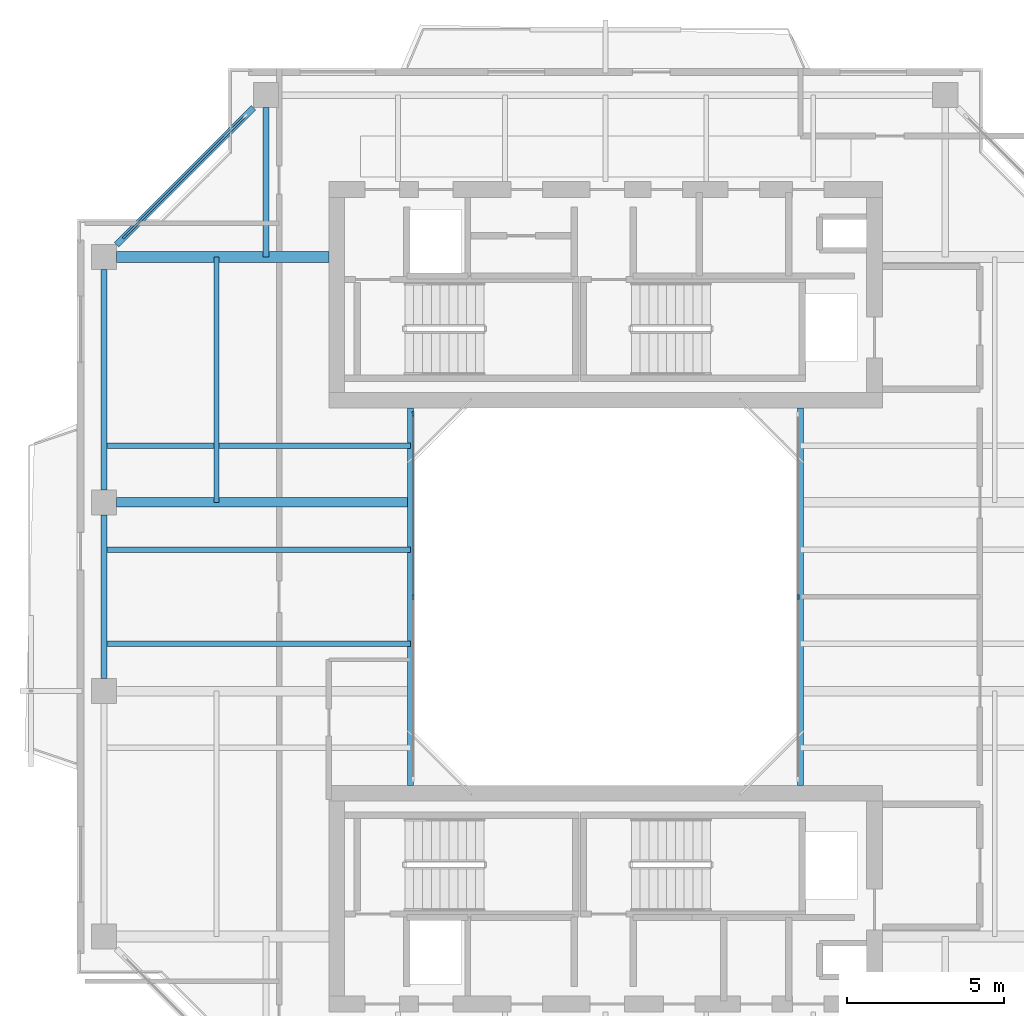
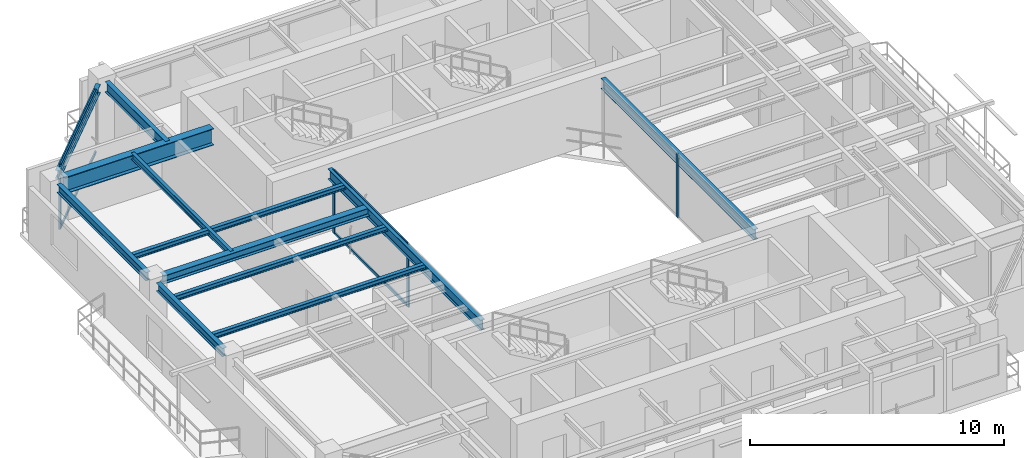
# One storey, part 5 of 16: 12 beams, 8 members, 3 elements without a shape of their own.
"""IFC4 building model written with IfcOpenShell, lengths in metres."""

from ifc_helpers import new_model, si_unit, direction, frame, origin, origin_2d, place, context, subcontext, project, spatial, rectangle, i_section, extrude, source, transform, mapped, material, layer, layer_set, material_profile, profile_set, type_object, element, aggregate, save


model = new_model("IFC4")

# Units and contexts
model_context = context("Model", 3, precision=1e-05, world=origin(), true_north=direction((0.0, 1.0)))
body_context = subcontext(model_context, "Body", "Model", "MODEL_VIEW")
ifc_project = project(units=[si_unit("LENGTHUNIT", "METRE"), si_unit("AREAUNIT", "SQUARE_METRE"), si_unit("VOLUMEUNIT", "CUBIC_METRE"), si_unit("PLANEANGLEUNIT", "RADIAN"), si_unit("MASSUNIT", "GRAM", prefix="KILO"), si_unit("THERMODYNAMICTEMPERATUREUNIT", "KELVIN"), si_unit("POWERUNIT", "WATT")], contexts=[model_context])

# Site, building, storey
site_placement = place(None, origin())
site = spatial("IfcSite", under=ifc_project, at=site_placement, CompositionType="ELEMENT")
building_placement = place(site_placement, origin())
building = spatial("IfcBuilding", under=site, at=building_placement, Name="Qiaomeng Ring Towers", CompositionType="ELEMENT")
storey_placement = place(building_placement, frame((0.0, 0.0, 229.5)))
storey = spatial("IfcBuildingStorey", under=building, at=storey_placement, Name="L67", CompositionType="ELEMENT", Elevation=229.5)

# Beams
ifc_material_1 = material(Name="Steel Q355B", Category="steel")
ifc_material_profile_1 = material_profile(ifc_material_1, i_section(OverallWidth=0.199951171875, OverallDepth=0.5, WebThickness=0.010009765625, FlangeThickness=0.01611328125, FilletRadius=0.02001953125, at=origin_2d()), Name="HN 500x200x10x16")
ifc_profile_set_1 = profile_set([ifc_material_profile_1], Name="Steel Q355B")
beam_type_1 = type_object("IfcBeamType", Name="STR-BM-HN500", PredefinedType="BEAM", material=ifc_profile_set_1)
shared_shape_1 = source(origin(), body_context, "Body", "SweptSolid", [
    extrude(i_section(OverallWidth=0.199951171875, OverallDepth=0.5, WebThickness=0.010009765625, FlangeThickness=0.01611328125, FilletRadius=0.02001953125, at=origin_2d()), origin(), (0.0, 0.0, 1.0), 12.0),
])
for number, where, z_axis, x_axis, name in (
    (1, (12.800048828125, 17.0, 2.780029296875), (0.0, 1.0, 0.0), (-1.0, 0.0, 0.0), "L67 beam STR-BM-L67-WELL-W"),
    (2, (25.199951171875, 17.0, 2.780029296875), (0.0, 1.0, 0.0), (-1.0, 0.0, 0.0), "L67 beam STR-BM-L67-WELL-E"),
):
    element("IfcBeam", number, at=place(storey_placement, frame(where, z_axis=z_axis, x_axis=x_axis)), inside=storey, type_object=beam_type_1, Name=name, PredefinedType="BEAM", context=body_context, shape_type="MappedRepresentation", body=[
        mapped(shared_shape_1, transform((0.0, 0.0, 0.0), x_axis=(1.0, 0.0, 0.0), y_axis=(0.0, 1.0, 0.0), z_axis=(0.0, 0.0, 1.0), scale=1.0)),
    ])
ifc_material_profile_2 = material_profile(ifc_material_1, i_section(OverallWidth=0.198974609375, OverallDepth=0.39599609375, WebThickness=0.007080078125, FlangeThickness=0.010986328125, FilletRadius=0.01611328125, at=origin_2d()), Name="HN 396x199x7x11")
ifc_profile_set_2 = profile_set([ifc_material_profile_2], Name="Steel Q355B")
beam_type_2 = type_object("IfcBeamType", Name="STR-BM-HN396", PredefinedType="SPANDREL", material=ifc_profile_set_2)
shared_shape_2 = source(origin(), body_context, "Body", "SweptSolid", [
    extrude(i_section(OverallWidth=0.198974609375, OverallDepth=0.39599609375, WebThickness=0.007080078125, FlangeThickness=0.010986328125, FilletRadius=0.01611328125, at=origin_2d()), origin(), (0.0, 0.0, 1.0), 6.154052734375),
])
beam_1_placement = place(storey_placement, frame((7.80078125, 38.55078125, 2.83203125), z_axis=(-0.707106781187, -0.707106781187, 0.0), x_axis=(0.707106781187, -0.707106781187, 0.0)))
element("IfcBeam", 3, at=beam_1_placement, inside=storey, type_object=beam_type_2, Name="L67 beam STR-SP-L67-T1-N1-W4", PredefinedType="SPANDREL", context=body_context, shape_type="MappedRepresentation", body=[
    mapped(shared_shape_2, transform((0.0, 0.0, 0.0), x_axis=(1.0, 0.0, 0.0), y_axis=(0.0, 1.0, 0.0), z_axis=(0.0, 0.0, 1.0), scale=1.0)),
])
shared_shape_3 = source(origin(), body_context, "Body", "SweptSolid", [
    extrude(i_section(OverallWidth=0.198974609375, OverallDepth=0.39599609375, WebThickness=0.007080078125, FlangeThickness=0.010986328125, FilletRadius=0.01611328125, at=origin_2d()), origin(), (0.0, 0.0, 1.0), 7.001953125),
])
beam_2_placement = place(storey_placement, frame((3.050048828125, 33.40087890625, 2.83203125), z_axis=(0.0, -1.0, 0.0), x_axis=(1.0, 0.0, 0.0)))
element("IfcBeam", 4, at=beam_2_placement, inside=storey, type_object=beam_type_2, Name="L67 beam STR-SP-L67-T1-W4-W3", PredefinedType="SPANDREL", context=body_context, shape_type="MappedRepresentation", body=[
    mapped(shared_shape_3, transform((0.0, 0.0, 0.0), x_axis=(1.0, 0.0, 0.0), y_axis=(0.0, 1.0, 0.0), z_axis=(0.0, 0.0, 1.0), scale=1.0)),
])
shared_shape_4 = source(origin(), body_context, "Body", "SweptSolid", [
    extrude(i_section(OverallWidth=0.198974609375, OverallDepth=0.39599609375, WebThickness=0.007080078125, FlangeThickness=0.010986328125, FilletRadius=0.01611328125, at=origin_2d()), origin(), (0.0, 0.0, 1.0), 5.2021484375),
])
beam_3_placement = place(storey_placement, frame((3.050048828125, 25.60107421875, 2.83203125), z_axis=(0.0, -1.0, 0.0), x_axis=(1.0, 0.0, 0.0)))
element("IfcBeam", 5, at=beam_3_placement, inside=storey, type_object=beam_type_2, Name="L67 beam STR-SP-L67-T1-W3-W2", PredefinedType="SPANDREL", context=body_context, shape_type="MappedRepresentation", body=[
    mapped(shared_shape_4, transform((0.0, 0.0, 0.0), x_axis=(1.0, 0.0, 0.0), y_axis=(0.0, 1.0, 0.0), z_axis=(0.0, 0.0, 1.0), scale=1.0)),
])
ifc_material_2 = material(Name="Steel Q390GJC", Category="steel")
ifc_material_profile_3 = material_profile(ifc_material_2, i_section(OverallWidth=0.35009765625, OverallDepth=0.800048828125, WebThickness=0.01611328125, FlangeThickness=0.028076171875, at=origin_2d()), Name="WH 800x350x16x28")
ifc_profile_set_3 = profile_set([ifc_material_profile_3], Name="Steel Q390GJC")
beam_type_3 = type_object("IfcBeamType", Name="STR-BM-WH800", PredefinedType="BEAM", material=ifc_profile_set_3)
shared_shape_5 = source(origin(), body_context, "Body", "SweptSolid", [
    extrude(i_section(OverallWidth=0.35009765625, OverallDepth=0.800048828125, WebThickness=0.01611328125, FlangeThickness=0.028076171875, at=origin_2d()), origin(), (0.0, 0.0, 1.0), 6.7509765625),
])
beam_4_placement = place(storey_placement, frame((3.448974609375, 33.800048828125, 2.6298828125), z_axis=(1.0, 0.0, 0.0), x_axis=(0.0, 1.0, 0.0)))
element("IfcBeam", 6, at=beam_4_placement, inside=storey, type_object=beam_type_3, Name="L67 beam STR-BM-L67-T1-RAD-W4", PredefinedType="BEAM", context=body_context, shape_type="MappedRepresentation", body=[
    mapped(shared_shape_5, transform((0.0, 0.0, 0.0), x_axis=(1.0, 0.0, 0.0), y_axis=(0.0, 1.0, 0.0), z_axis=(0.0, 0.0, 1.0), scale=1.0)),
])
ifc_material_profile_4 = material_profile(ifc_material_1, i_section(OverallWidth=0.300048828125, OverallDepth=0.389892578125, WebThickness=0.010009765625, FlangeThickness=0.01611328125, FilletRadius=0.02197265625, at=origin_2d()), Name="HM 390x300x10x16")
ifc_profile_set_4 = profile_set([ifc_material_profile_4], Name="Steel Q355B")
beam_type_4 = type_object("IfcBeamType", Name="STR-BM-HM390", PredefinedType="BEAM", material=ifc_profile_set_4)
shared_shape_6 = source(origin(), body_context, "Body", "SweptSolid", [
    extrude(i_section(OverallWidth=0.300048828125, OverallDepth=0.389892578125, WebThickness=0.010009765625, FlangeThickness=0.01611328125, FilletRadius=0.02197265625, at=origin_2d()), origin(), (0.0, 0.0, 1.0), 9.35107421875),
])
beam_5_placement = place(storey_placement, frame((3.448974609375, 26.0, 2.8349609375), z_axis=(1.0, 0.0, 0.0), x_axis=(0.0, 1.0, 0.0)))
element("IfcBeam", 7, at=beam_5_placement, inside=storey, type_object=beam_type_4, Name="L67 beam STR-BM-L67-T1-RAD-W3", PredefinedType="BEAM", context=body_context, shape_type="MappedRepresentation", body=[
    mapped(shared_shape_6, transform((0.0, 0.0, 0.0), x_axis=(1.0, 0.0, 0.0), y_axis=(0.0, 1.0, 0.0), z_axis=(0.0, 0.0, 1.0), scale=1.0)),
])
ifc_material_profile_5 = material_profile(ifc_material_1, i_section(OverallWidth=0.175048828125, OverallDepth=0.243896484375, WebThickness=0.007080078125, FlangeThickness=0.010986328125, FilletRadius=0.01611328125, at=origin_2d()), Name="HM 244x175x7x11")
ifc_profile_set_5 = profile_set([ifc_material_profile_5], Name="Steel Q355B")
beam_type_5 = type_object("IfcBeamType", Name="STR-BM-HM244", PredefinedType="JOIST", material=ifc_profile_set_5)
shared_shape_7 = source(origin(), body_context, "Body", "SweptSolid", [
    extrude(i_section(OverallWidth=0.175048828125, OverallDepth=0.243896484375, WebThickness=0.007080078125, FlangeThickness=0.010986328125, FilletRadius=0.01611328125, at=origin_2d()), origin(), (0.0, 0.0, 1.0), 9.75),
])
for number, where, z_axis, x_axis, name in (
    (8, (3.050048828125, 21.5, 2.907958984375), (1.0, 0.0, 0.0), (0.0, 1.0, 0.0), "L67 beam STR-JST-L67-T1W-2"),
    (9, (3.050048828125, 24.5, 2.907958984375), (1.0, 0.0, 0.0), (0.0, 1.0, 0.0), "L67 beam STR-JST-L67-T1W-3"),
    (10, (3.050048828125, 27.800048828125, 2.907958984375), (1.0, 0.0, 0.0), (0.0, 1.0, 0.0), "L67 beam STR-JST-L67-T1W-4"),
):
    element("IfcBeam", number, at=place(storey_placement, frame(where, z_axis=z_axis, x_axis=x_axis)), inside=storey, type_object=beam_type_5, Name=name, PredefinedType="JOIST", context=body_context, shape_type="MappedRepresentation", body=[
        mapped(shared_shape_7, transform((0.0, 0.0, 0.0), x_axis=(1.0, 0.0, 0.0), y_axis=(0.0, 1.0, 0.0), z_axis=(0.0, 0.0, 1.0), scale=1.0)),
    ])
ifc_material_profile_6 = material_profile(ifc_material_1, i_section(OverallWidth=0.14990234375, OverallDepth=0.300048828125, WebThickness=0.006591796875, FlangeThickness=0.009033203125, FilletRadius=0.012939453125, at=origin_2d()), Name="HN 300x150x6.5x9")
ifc_profile_set_6 = profile_set([ifc_material_profile_6], Name="Steel Q355B")
beam_type_6 = type_object("IfcBeamType", Name="STR-BM-HN300", PredefinedType="JOIST", material=ifc_profile_set_6)
shared_shape_8 = source(origin(), body_context, "Body", "SweptSolid", [
    extrude(i_section(OverallWidth=0.14990234375, OverallDepth=0.300048828125, WebThickness=0.006591796875, FlangeThickness=0.009033203125, FilletRadius=0.012939453125, at=origin_2d()), origin(), (0.0, 0.0, 1.0), 7.800048828125),
])
beam_6_placement = place(storey_placement, frame((6.625, 26.0, 2.8798828125), z_axis=(0.0, 1.0, 0.0), x_axis=(-1.0, 0.0, 0.0)))
element("IfcBeam", 11, at=beam_6_placement, inside=storey, type_object=beam_type_6, Name="L67 beam STR-JST-L67-T1C-WN", PredefinedType="JOIST", context=body_context, shape_type="MappedRepresentation", body=[
    mapped(shared_shape_8, transform((0.0, 0.0, 0.0), x_axis=(1.0, 0.0, 0.0), y_axis=(0.0, 1.0, 0.0), z_axis=(0.0, 0.0, 1.0), scale=1.0)),
])
ifc_material_profile_7 = material_profile(ifc_material_1, i_section(OverallWidth=0.198974609375, OverallDepth=0.49609375, WebThickness=0.009033203125, FlangeThickness=0.013916015625, FilletRadius=0.01806640625, at=origin_2d()), Name="HN 496x199x9x14")
ifc_profile_set_7 = profile_set([ifc_material_profile_7], Name="Steel Q355B")
beam_type_7 = type_object("IfcBeamType", Name="STR-BM-HN496", PredefinedType="BEAM", material=ifc_profile_set_7)
shared_shape_9 = source(origin(), body_context, "Body", "SweptSolid", [
    extrude(i_section(OverallWidth=0.198974609375, OverallDepth=0.49609375, WebThickness=0.009033203125, FlangeThickness=0.013916015625, FilletRadius=0.01806640625, at=origin_2d()), origin(), (0.0, 0.0, 1.0), 4.7509765625),
])
beam_7_placement = place(storey_placement, frame((8.199951171875, 38.551025390625, 2.781982421875), z_axis=(0.0, -1.0, 0.0), x_axis=(1.0, 0.0, 0.0)))
element("IfcBeam", 12, at=beam_7_placement, inside=storey, type_object=beam_type_7, Name="L67 beam STR-BM-L67-T1-RAD-N1", PredefinedType="BEAM", context=body_context, shape_type="MappedRepresentation", body=[
    mapped(shared_shape_9, transform((0.0, 0.0, 0.0), x_axis=(1.0, 0.0, 0.0), y_axis=(0.0, 1.0, 0.0), z_axis=(0.0, 0.0, 1.0), scale=1.0)),
])

# Curtain wall, members
ifc_material_3 = material(Name="Fluorocarbon dark-grey aluminium", Category="aluminium")
ifc_layer_1 = layer(ifc_material_3, 0.139892578125, Name="Fluorocarbon dark-grey aluminium")
ifc_layer_set_1 = layer_set([ifc_layer_1], Name="Fluorocarbon dark-grey aluminium")
curtain_wall_type_1 = type_object("IfcCurtainWallType", Name="ARC-CW-4", PredefinedType="NOTDEFINED", material=ifc_layer_set_1)
curtain_wall_1_placement = place(storey_placement, origin())
curtain_wall_1 = element("IfcCurtainWall", 13, at=curtain_wall_1_placement, inside=storey, type_object=curtain_wall_type_1, Name="L67 Curtain Wall CW4", PredefinedType="NOTDEFINED")
ifc_material_profile_8 = material_profile(ifc_material_3, rectangle(XDim=0.06494140625, YDim=0.1298828125, at=origin_2d()), Name="ALU TRAN 65x130")
ifc_profile_set_8 = profile_set([ifc_material_profile_8], Name="Fluorocarbon dark-grey aluminium")
member_type_1 = type_object("IfcMemberType", Name="ARC-CWT-120", PredefinedType="USERDEFINED", material=ifc_profile_set_8)
shared_shape_10 = source(origin(), body_context, "Body", "SweptSolid", [
    extrude(rectangle(XDim=0.06494140625, YDim=0.1298828125, at=origin_2d()), origin(), (0.0, 0.0, 1.0), 5.75244140625),
])
member_1_placement = place(storey_placement, frame((12.8798828125, 23.032470703125, 0.032470703125), z_axis=(0.0, 1.0, 0.0), x_axis=(-1.0, 0.0, 0.0)))
member_1 = element("IfcMember", 14, at=member_1_placement, type_object=member_type_1, Name="CW4 transom 2.1", ObjectType="TRANSOM", PredefinedType="USERDEFINED", context=body_context, shape_type="MappedRepresentation", body=[
    mapped(shared_shape_10, transform((0.0, 0.0, 0.0), x_axis=(1.0, 0.0, 0.0), y_axis=(0.0, 1.0, 0.0), z_axis=(0.0, 0.0, 1.0), scale=1.0)),
])
member_2_placement = place(storey_placement, frame((12.8798828125, 23.032470703125, 2.99755859375), z_axis=(0.0, 1.0, 0.0), x_axis=(-1.0, 0.0, 0.0)))
member_2 = element("IfcMember", 15, at=member_2_placement, type_object=member_type_1, Name="CW4 transom 2.2", ObjectType="TRANSOM", PredefinedType="USERDEFINED", context=body_context, shape_type="MappedRepresentation", body=[
    mapped(shared_shape_10, transform((0.0, 0.0, 0.0), x_axis=(1.0, 0.0, 0.0), y_axis=(0.0, 1.0, 0.0), z_axis=(0.0, 0.0, 1.0), scale=1.0)),
])
ifc_material_profile_9 = material_profile(ifc_material_3, rectangle(XDim=0.06494140625, YDim=0.159912109375, at=origin_2d()), Name="ALU MULL 65x160")
ifc_profile_set_9 = profile_set([ifc_material_profile_9], Name="Fluorocarbon dark-grey aluminium")
member_type_2 = type_object("IfcMemberType", Name="ARC-CWM-140", PredefinedType="MULLION", material=ifc_profile_set_9)
shared_shape_11 = source(origin(), body_context, "Body", "SweptSolid", [
    extrude(rectangle(XDim=0.06494140625, YDim=0.159912109375, at=origin_2d()), origin(), (0.0, 0.0, 1.0), 3.030029296875),
])
member_3_placement = place(storey_placement, frame((12.8798828125, 23.0, 0.0), z_axis=(0.0, 0.0, 1.0), x_axis=(-1.0, 0.0, 0.0)))
member_3 = element("IfcMember", 16, at=member_3_placement, type_object=member_type_2, Name="CW4 mullion 2", PredefinedType="MULLION", context=body_context, shape_type="MappedRepresentation", body=[
    mapped(shared_shape_11, transform((0.0, 0.0, 0.0), x_axis=(1.0, 0.0, 0.0), y_axis=(0.0, 1.0, 0.0), z_axis=(0.0, 0.0, 1.0), scale=1.0)),
])
member_4_placement = place(storey_placement, frame((12.8798828125, 28.8173828125, 0.0), z_axis=(0.0, 0.0, 1.0), x_axis=(-1.0, 0.0, 0.0)))
member_4 = element("IfcMember", 17, at=member_4_placement, type_object=member_type_2, Name="CW4 mullion 3", PredefinedType="MULLION", context=body_context, shape_type="MappedRepresentation", body=[
    mapped(shared_shape_11, transform((0.0, 0.0, 0.0), x_axis=(1.0, 0.0, 0.0), y_axis=(0.0, 1.0, 0.0), z_axis=(0.0, 0.0, 1.0), scale=1.0)),
])
aggregate(curtain_wall_1, [member_3, member_4, member_1, member_2])

# Curtain wall, member
curtain_wall_2_placement = place(storey_placement, origin())
curtain_wall_2 = element("IfcCurtainWall", 18, at=curtain_wall_2_placement, inside=storey, type_object=curtain_wall_type_1, Name="L67 Curtain Wall CW4", PredefinedType="NOTDEFINED")
member_5_placement = place(storey_placement, frame((25.1201171875, 23.0, 0.0), z_axis=(0.0, 0.0, 1.0), x_axis=(-1.0, 0.0, 0.0)))
member_5 = element("IfcMember", 19, at=member_5_placement, type_object=member_type_2, Name="CW4 mullion 2", PredefinedType="MULLION", context=body_context, shape_type="MappedRepresentation", body=[
    mapped(shared_shape_11, transform((0.0, 0.0, 0.0), x_axis=(1.0, 0.0, 0.0), y_axis=(0.0, 1.0, 0.0), z_axis=(0.0, 0.0, 1.0), scale=1.0)),
])
aggregate(curtain_wall_2, [member_5])

# Curtain wall, members
ifc_layer_2 = layer(ifc_material_3, 0.14990234375, Name="Fluorocarbon dark-grey aluminium")
ifc_layer_set_2 = layer_set([ifc_layer_2], Name="Fluorocarbon dark-grey aluminium")
curtain_wall_type_2 = type_object("IfcCurtainWallType", Name="ARC-CW-3", PredefinedType="NOTDEFINED", material=ifc_layer_set_2)
curtain_wall_3_placement = place(storey_placement, origin())
curtain_wall_3 = element("IfcCurtainWall", 20, at=curtain_wall_3_placement, inside=storey, type_object=curtain_wall_type_2, Name="L67 Curtain Wall CW3", PredefinedType="NOTDEFINED")
ifc_material_profile_10 = material_profile(ifc_material_3, rectangle(XDim=0.070068359375, YDim=0.179931640625, at=origin_2d()), Name="ALU MULL 70x180")
ifc_profile_set_10 = profile_set([ifc_material_profile_10], Name="Fluorocarbon dark-grey aluminium")
member_type_3 = type_object("IfcMemberType", Name="ARC-CWM-160", PredefinedType="MULLION", material=ifc_profile_set_10)
shared_shape_12 = source(origin(), body_context, "Body", "SweptSolid", [
    extrude(rectangle(XDim=0.070068359375, YDim=0.179931640625, at=origin_2d()), origin(), (0.0, 0.0, 1.0), 3.030029296875),
])
member_6_placement = place(storey_placement, frame((3.71484375, 34.46484375, 0.0), z_axis=(0.0, 0.0, 1.0), x_axis=(0.707106781187, -0.707106781187, 0.0)))
member_6 = element("IfcMember", 21, at=member_6_placement, type_object=member_type_3, Name="CW3 mullion 2", PredefinedType="MULLION", context=body_context, shape_type="MappedRepresentation", body=[
    mapped(shared_shape_12, transform((0.0, 0.0, 0.0), x_axis=(1.0, 0.0, 0.0), y_axis=(0.0, 1.0, 0.0), z_axis=(0.0, 0.0, 1.0), scale=1.0)),
])
shared_shape_13 = source(origin(), body_context, "Body", "SweptSolid", [
    extrude(rectangle(XDim=0.06494140625, YDim=0.1298828125, at=origin_2d()), origin(), (0.0, 0.0, 1.0), 5.3330078125),
])
member_7_placement = place(storey_placement, frame((7.510498046875, 38.260498046875, 0.032470703125), z_axis=(-0.707106781187, -0.707106781187, 0.0), x_axis=(0.707106781187, -0.707106781187, 0.0)))
member_7 = element("IfcMember", 22, at=member_7_placement, type_object=member_type_1, Name="CW3 transom 1.1", ObjectType="TRANSOM", PredefinedType="USERDEFINED", context=body_context, shape_type="MappedRepresentation", body=[
    mapped(shared_shape_13, transform((0.0, 0.0, 0.0), x_axis=(1.0, 0.0, 0.0), y_axis=(0.0, 1.0, 0.0), z_axis=(0.0, 0.0, 1.0), scale=1.0)),
])
member_8_placement = place(storey_placement, frame((7.510498046875, 38.260498046875, 2.99755859375), z_axis=(-0.707106781187, -0.707106781187, 0.0), x_axis=(0.707106781187, -0.707106781187, 0.0)))
member_8 = element("IfcMember", 23, at=member_8_placement, type_object=member_type_1, Name="CW3 transom 1.2", ObjectType="TRANSOM", PredefinedType="USERDEFINED", context=body_context, shape_type="MappedRepresentation", body=[
    mapped(shared_shape_13, transform((0.0, 0.0, 0.0), x_axis=(1.0, 0.0, 0.0), y_axis=(0.0, 1.0, 0.0), z_axis=(0.0, 0.0, 1.0), scale=1.0)),
])
aggregate(curtain_wall_3, [member_6, member_7, member_8])

save(model, "model.ifc")
